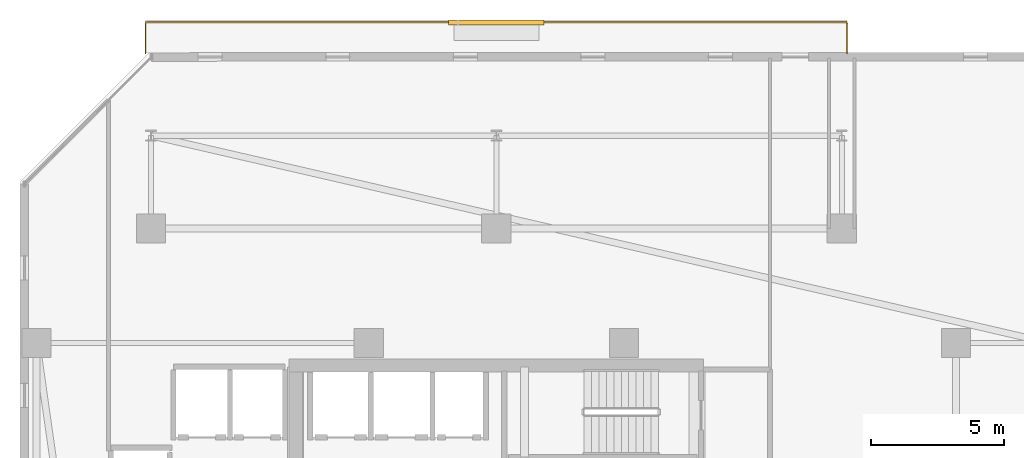
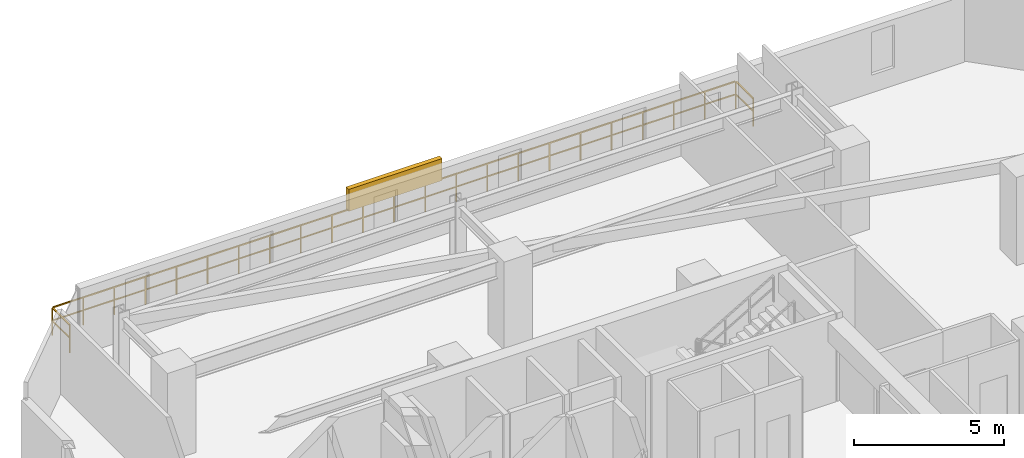
# One storey, part 31 of 33: 1 railing, 1 shading device.
"""IFC4 building model written with IfcOpenShell, lengths in metres."""

from ifc_helpers import new_model, si_unit, direction, frame, origin, origin_2d, place, context, subcontext, project, spatial, rectangle, extrude, material, type_object, element, save


model = new_model("IFC4")

# Units and contexts
model_context = context("Model", 3, precision=1e-05, world=origin(), true_north=direction((0.0, 1.0)))
body_context = subcontext(model_context, "Body", "Model", "MODEL_VIEW")
ifc_project = project(units=[si_unit("LENGTHUNIT", "METRE"), si_unit("AREAUNIT", "SQUARE_METRE"), si_unit("VOLUMEUNIT", "CUBIC_METRE"), si_unit("PLANEANGLEUNIT", "RADIAN"), si_unit("MASSUNIT", "GRAM", prefix="KILO")], contexts=[model_context])

# Site, building, storey
site_placement = place(None, origin())
site = spatial("IfcSite", under=ifc_project, at=site_placement, CompositionType="ELEMENT")
building_placement = place(site_placement, origin())
building = spatial("IfcBuilding", under=site, at=building_placement, Name="Thornwick Lancets Civic Towers", CompositionType="ELEMENT")
storey_placement = place(building_placement, frame((0.0, 0.0, 192.89990234375)))
storey = spatial("IfcBuildingStorey", under=building, at=storey_placement, Name="L51", CompositionType="ELEMENT", Elevation=192.89990234375)

# Railing
ifc_material_1 = material(Name="Terracotta-capped laminated glass balustrade S355", Category="masonry")
railing_type = type_object("IfcRailingType", Name="RAIL_TERR_GUARD", PredefinedType="GUARDRAIL", material=ifc_material_1)
railing_placement = place(storey_placement, frame((12.300048828125, 50.89990234375, 0.0)))
element("IfcRailing", 1, at=railing_placement, inside=storey, type_object=railing_type, Name="L51 Tower A Balcony Guard N", PredefinedType="GUARDRAIL", context=body_context, shape_type="SweptSolid", body=[
    extrude(rectangle(XDim=0.048095703125, YDim=0.048095703125, at=origin_2d()), frame((0.0, 0.0, 1.1259765625), z_axis=(0.0, 1.0, 0.0), x_axis=(-1.0, 0.0, 0.0)), (0.0, 0.0, 1.0), 1.138916015625),
    extrude(rectangle(XDim=0.0419921875, YDim=0.0419921875, at=origin_2d()), frame((0.0, 0.03759765625, 0.597900390625), z_axis=(0.0, 1.0, 0.0), x_axis=(-1.0, 0.0, 0.0)), (0.0, 0.0, 1.0), 1.09521484375),
    extrude(rectangle(XDim=0.048095703125, YDim=0.048095703125, at=origin_2d()), frame((0.03125, 1.170166015625, 1.1259765625), z_axis=(1.0, 0.0, 0.0), x_axis=(0.0, 1.0, 0.0)), (0.0, 0.0, 1.0), 26.33740234375),
    extrude(rectangle(XDim=0.0419921875, YDim=0.0419921875, at=origin_2d()), frame((0.03759765625, 1.170166015625, 0.597900390625), z_axis=(1.0, 0.0, 0.0), x_axis=(0.0, 1.0, 0.0)), (0.0, 0.0, 1.0), 1.125),
    extrude(rectangle(XDim=0.0419921875, YDim=0.0419921875, at=origin_2d()), frame((1.237548828125, 1.170166015625, 0.597900390625), z_axis=(1.0, 0.0, 0.0), x_axis=(0.0, 1.0, 0.0)), (0.0, 0.0, 1.0), 1.125),
    extrude(rectangle(XDim=0.0419921875, YDim=0.0419921875, at=origin_2d()), frame((2.4375, 1.170166015625, 0.597900390625), z_axis=(1.0, 0.0, 0.0), x_axis=(0.0, 1.0, 0.0)), (0.0, 0.0, 1.0), 1.125),
    extrude(rectangle(XDim=0.0419921875, YDim=0.0419921875, at=origin_2d()), frame((3.637451171875, 1.170166015625, 0.597900390625), z_axis=(1.0, 0.0, 0.0), x_axis=(0.0, 1.0, 0.0)), (0.0, 0.0, 1.0), 1.125),
    extrude(rectangle(XDim=0.0419921875, YDim=0.0419921875, at=origin_2d()), frame((4.83740234375, 1.170166015625, 0.597900390625), z_axis=(1.0, 0.0, 0.0), x_axis=(0.0, 1.0, 0.0)), (0.0, 0.0, 1.0), 1.125),
    extrude(rectangle(XDim=0.0419921875, YDim=0.0419921875, at=origin_2d()), frame((6.037353515625, 1.170166015625, 0.597900390625), z_axis=(1.0, 0.0, 0.0), x_axis=(0.0, 1.0, 0.0)), (0.0, 0.0, 1.0), 1.125),
    extrude(rectangle(XDim=0.0419921875, YDim=0.0419921875, at=origin_2d()), frame((7.237548828125, 1.170166015625, 0.597900390625), z_axis=(1.0, 0.0, 0.0), x_axis=(0.0, 1.0, 0.0)), (0.0, 0.0, 1.0), 1.125),
    extrude(rectangle(XDim=0.0419921875, YDim=0.0419921875, at=origin_2d()), frame((8.4375, 1.170166015625, 0.597900390625), z_axis=(1.0, 0.0, 0.0), x_axis=(0.0, 1.0, 0.0)), (0.0, 0.0, 1.0), 1.125),
    extrude(rectangle(XDim=0.0419921875, YDim=0.0419921875, at=origin_2d()), frame((9.637451171875, 1.170166015625, 0.597900390625), z_axis=(1.0, 0.0, 0.0), x_axis=(0.0, 1.0, 0.0)), (0.0, 0.0, 1.0), 1.125),
    extrude(rectangle(XDim=0.0419921875, YDim=0.0419921875, at=origin_2d()), frame((10.83740234375, 1.170166015625, 0.597900390625), z_axis=(1.0, 0.0, 0.0), x_axis=(0.0, 1.0, 0.0)), (0.0, 0.0, 1.0), 1.125),
    extrude(rectangle(XDim=0.0419921875, YDim=0.0419921875, at=origin_2d()), frame((12.037353515625, 1.170166015625, 0.597900390625), z_axis=(1.0, 0.0, 0.0), x_axis=(0.0, 1.0, 0.0)), (0.0, 0.0, 1.0), 1.125),
    extrude(rectangle(XDim=0.0419921875, YDim=0.0419921875, at=origin_2d()), frame((13.237548828125, 1.170166015625, 0.597900390625), z_axis=(1.0, 0.0, 0.0), x_axis=(0.0, 1.0, 0.0)), (0.0, 0.0, 1.0), 1.125),
    extrude(rectangle(XDim=0.0419921875, YDim=0.0419921875, at=origin_2d()), frame((14.4375, 1.170166015625, 0.597900390625), z_axis=(1.0, 0.0, 0.0), x_axis=(0.0, 1.0, 0.0)), (0.0, 0.0, 1.0), 1.125),
    extrude(rectangle(XDim=0.0419921875, YDim=0.0419921875, at=origin_2d()), frame((15.637451171875, 1.170166015625, 0.597900390625), z_axis=(1.0, 0.0, 0.0), x_axis=(0.0, 1.0, 0.0)), (0.0, 0.0, 1.0), 1.125),
    extrude(rectangle(XDim=0.0419921875, YDim=0.0419921875, at=origin_2d()), frame((16.83740234375, 1.170166015625, 0.597900390625), z_axis=(1.0, 0.0, 0.0), x_axis=(0.0, 1.0, 0.0)), (0.0, 0.0, 1.0), 1.125),
    extrude(rectangle(XDim=0.0419921875, YDim=0.0419921875, at=origin_2d()), frame((18.037353515625, 1.170166015625, 0.597900390625), z_axis=(1.0, 0.0, 0.0), x_axis=(0.0, 1.0, 0.0)), (0.0, 0.0, 1.0), 1.125),
    extrude(rectangle(XDim=0.0419921875, YDim=0.0419921875, at=origin_2d()), frame((19.2373046875, 1.170166015625, 0.597900390625), z_axis=(1.0, 0.0, 0.0), x_axis=(0.0, 1.0, 0.0)), (0.0, 0.0, 1.0), 1.125),
    extrude(rectangle(XDim=0.0419921875, YDim=0.0419921875, at=origin_2d()), frame((20.4375, 1.170166015625, 0.597900390625), z_axis=(1.0, 0.0, 0.0), x_axis=(0.0, 1.0, 0.0)), (0.0, 0.0, 1.0), 1.125),
    extrude(rectangle(XDim=0.0419921875, YDim=0.0419921875, at=origin_2d()), frame((21.637451171875, 1.170166015625, 0.597900390625), z_axis=(1.0, 0.0, 0.0), x_axis=(0.0, 1.0, 0.0)), (0.0, 0.0, 1.0), 1.125),
    extrude(rectangle(XDim=0.0419921875, YDim=0.0419921875, at=origin_2d()), frame((22.83740234375, 1.170166015625, 0.597900390625), z_axis=(1.0, 0.0, 0.0), x_axis=(0.0, 1.0, 0.0)), (0.0, 0.0, 1.0), 1.125),
    extrude(rectangle(XDim=0.0419921875, YDim=0.0419921875, at=origin_2d()), frame((24.037353515625, 1.170166015625, 0.597900390625), z_axis=(1.0, 0.0, 0.0), x_axis=(0.0, 1.0, 0.0)), (0.0, 0.0, 1.0), 1.125),
    extrude(rectangle(XDim=0.0419921875, YDim=0.0419921875, at=origin_2d()), frame((25.2373046875, 1.170166015625, 0.597900390625), z_axis=(1.0, 0.0, 0.0), x_axis=(0.0, 1.0, 0.0)), (0.0, 0.0, 1.0), 1.125),
    extrude(rectangle(XDim=0.048095703125, YDim=0.048095703125, at=origin_2d()), frame((26.39990234375, 1.138916015625, 1.1259765625), z_axis=(0.0, -1.0, 0.0), x_axis=(1.0, 0.0, 0.0)), (0.0, 0.0, 1.0), 1.138916015625),
    extrude(rectangle(XDim=0.0419921875, YDim=0.0419921875, at=origin_2d()), frame((26.39990234375, 1.132568359375, 0.597900390625), z_axis=(0.0, -1.0, 0.0), x_axis=(1.0, 0.0, 0.0)), (0.0, 0.0, 1.0), 1.09521484375),
    extrude(rectangle(XDim=0.0419921875, YDim=0.0419921875, at=origin_2d()), origin(), (0.0, 0.0, 1.0), 1.095703125),
    extrude(rectangle(XDim=0.0419921875, YDim=0.0419921875, at=origin_2d()), frame((0.0, 1.170166015625, 0.0)), (0.0, 0.0, 1.0), 1.095703125),
    extrude(rectangle(XDim=0.0419921875, YDim=0.0419921875, at=origin_2d()), frame((1.199951171875, 1.170166015625, 0.0)), (0.0, 0.0, 1.0), 1.095703125),
    extrude(rectangle(XDim=0.0419921875, YDim=0.0419921875, at=origin_2d()), frame((2.39990234375, 1.170166015625, 0.0)), (0.0, 0.0, 1.0), 1.095703125),
    extrude(rectangle(XDim=0.0419921875, YDim=0.0419921875, at=origin_2d()), frame((3.60009765625, 1.170166015625, 0.0)), (0.0, 0.0, 1.0), 1.095703125),
    extrude(rectangle(XDim=0.0419921875, YDim=0.0419921875, at=origin_2d()), frame((4.800048828125, 1.170166015625, 0.0)), (0.0, 0.0, 1.0), 1.095703125),
    extrude(rectangle(XDim=0.0419921875, YDim=0.0419921875, at=origin_2d()), frame((6.0, 1.170166015625, 0.0)), (0.0, 0.0, 1.0), 1.095703125),
    extrude(rectangle(XDim=0.0419921875, YDim=0.0419921875, at=origin_2d()), frame((7.199951171875, 1.170166015625, 0.0)), (0.0, 0.0, 1.0), 1.095703125),
    extrude(rectangle(XDim=0.0419921875, YDim=0.0419921875, at=origin_2d()), frame((8.39990234375, 1.170166015625, 0.0)), (0.0, 0.0, 1.0), 1.095703125),
    extrude(rectangle(XDim=0.0419921875, YDim=0.0419921875, at=origin_2d()), frame((9.599853515625, 1.170166015625, 0.0)), (0.0, 0.0, 1.0), 1.095703125),
    extrude(rectangle(XDim=0.0419921875, YDim=0.0419921875, at=origin_2d()), frame((10.800048828125, 1.170166015625, 0.0)), (0.0, 0.0, 1.0), 1.095703125),
    extrude(rectangle(XDim=0.0419921875, YDim=0.0419921875, at=origin_2d()), frame((12.0, 1.170166015625, 0.0)), (0.0, 0.0, 1.0), 1.095703125),
    extrude(rectangle(XDim=0.0419921875, YDim=0.0419921875, at=origin_2d()), frame((13.199951171875, 1.170166015625, 0.0)), (0.0, 0.0, 1.0), 1.095703125),
    extrude(rectangle(XDim=0.0419921875, YDim=0.0419921875, at=origin_2d()), frame((14.39990234375, 1.170166015625, 0.0)), (0.0, 0.0, 1.0), 1.095703125),
    extrude(rectangle(XDim=0.0419921875, YDim=0.0419921875, at=origin_2d()), frame((15.599853515625, 1.170166015625, 0.0)), (0.0, 0.0, 1.0), 1.095703125),
    extrude(rectangle(XDim=0.0419921875, YDim=0.0419921875, at=origin_2d()), frame((16.800048828125, 1.170166015625, 0.0)), (0.0, 0.0, 1.0), 1.095703125),
    extrude(rectangle(XDim=0.0419921875, YDim=0.0419921875, at=origin_2d()), frame((18.0, 1.170166015625, 0.0)), (0.0, 0.0, 1.0), 1.095703125),
    extrude(rectangle(XDim=0.0419921875, YDim=0.0419921875, at=origin_2d()), frame((19.199951171875, 1.170166015625, 0.0)), (0.0, 0.0, 1.0), 1.095703125),
    extrude(rectangle(XDim=0.0419921875, YDim=0.0419921875, at=origin_2d()), frame((20.39990234375, 1.170166015625, 0.0)), (0.0, 0.0, 1.0), 1.095703125),
    extrude(rectangle(XDim=0.0419921875, YDim=0.0419921875, at=origin_2d()), frame((21.599853515625, 1.170166015625, 0.0)), (0.0, 0.0, 1.0), 1.095703125),
    extrude(rectangle(XDim=0.0419921875, YDim=0.0419921875, at=origin_2d()), frame((22.7998046875, 1.170166015625, 0.0)), (0.0, 0.0, 1.0), 1.095703125),
    extrude(rectangle(XDim=0.0419921875, YDim=0.0419921875, at=origin_2d()), frame((24.0, 1.170166015625, 0.0)), (0.0, 0.0, 1.0), 1.095703125),
    extrude(rectangle(XDim=0.0419921875, YDim=0.0419921875, at=origin_2d()), frame((25.199951171875, 1.170166015625, 0.0)), (0.0, 0.0, 1.0), 1.095703125),
    extrude(rectangle(XDim=0.0419921875, YDim=0.0419921875, at=origin_2d()), frame((26.39990234375, 1.170166015625, 0.0)), (0.0, 0.0, 1.0), 1.095703125),
    extrude(rectangle(XDim=0.0419921875, YDim=0.0419921875, at=origin_2d()), frame((26.39990234375, 0.0, 0.0)), (0.0, 0.0, 1.0), 1.095703125),
])

# Shading device
ifc_material_2 = material(Name="Extruded terracotta baguette solar screen", Category="masonry")
shading_device_type = type_object("IfcShadingDeviceType", Name="SHADE_BAGUETTE", PredefinedType="JALOUSIE", material=ifc_material_2)
shading_device_placement = place(storey_placement, frame((25.5, 52.06005859375, 1.1201171875), z_axis=(0.0, 0.0, 1.0), x_axis=(1.0, 0.0, 0.0)))
element("IfcShadingDevice", 2, at=shading_device_placement, inside=storey, type_object=shading_device_type, Name="L51 Tower A Terracotta Baguette Screen N", PredefinedType="JALOUSIE", context=body_context, shape_type="SweptSolid", body=[
    extrude(rectangle(XDim=3.60009765625, YDim=0.179931640625, at=origin_2d()), origin(), (0.0, 0.0, 1.0), 0.89990234375),
])

save(model, "model.ifc")
